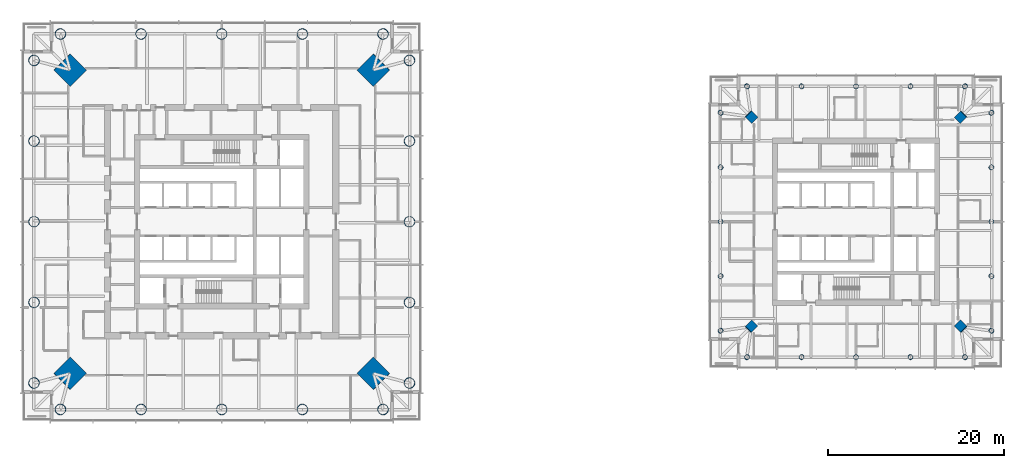
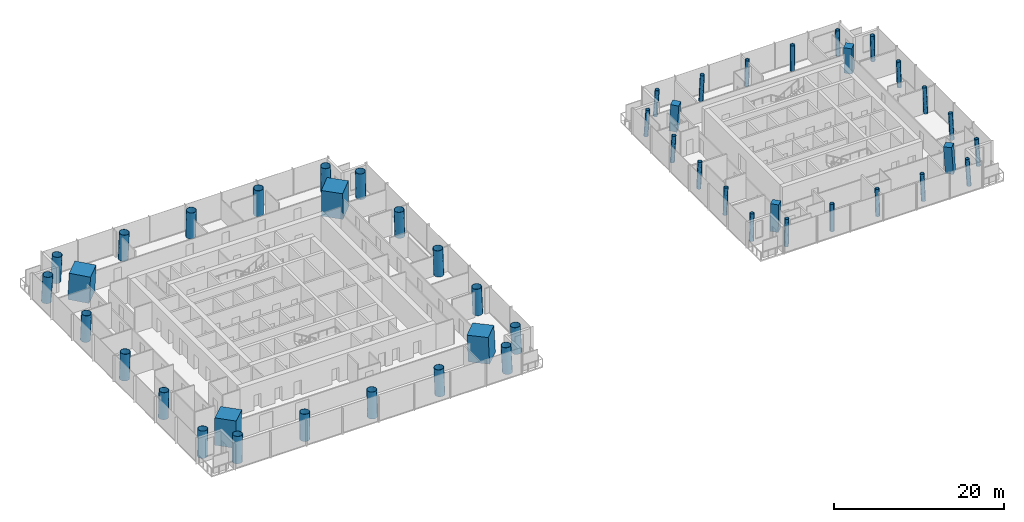
# One storey, part 1 of 18: 48 columns.
"""IFC4 building model written with IfcOpenShell, lengths in metres."""

from ifc_helpers import new_model, si_unit, direction, frame, origin, origin_2d, place, context, subcontext, project, spatial, rectangle, hollow_circle, extrude, material, material_profile, profile_set, type_object, element, save


model = new_model("IFC4")

# Units and contexts
model_context = context("Model", 3, precision=1e-05, world=origin(), true_north=direction((0.0, 1.0)))
body_context = subcontext(model_context, "Body", "Model", "MODEL_VIEW")
ifc_project = project(units=[si_unit("LENGTHUNIT", "METRE"), si_unit("AREAUNIT", "SQUARE_METRE"), si_unit("VOLUMEUNIT", "CUBIC_METRE"), si_unit("PLANEANGLEUNIT", "RADIAN"), si_unit("MASSUNIT", "GRAM", prefix="KILO")], contexts=[model_context])

# Site, building, storey
site_placement = place(None, origin())
site = spatial("IfcSite", under=ifc_project, at=site_placement, CompositionType="ELEMENT")
building_placement = place(site_placement, origin())
building = spatial("IfcBuilding", under=site, at=building_placement, Name="Ostroluk Exchange", CompositionType="ELEMENT")
storey_placement = place(building_placement, frame((0.0, 0.0, 104.60009765625)))
storey = spatial("IfcBuildingStorey", under=building, at=storey_placement, Name="L26", CompositionType="ELEMENT", Elevation=104.60009765625)

# Columns
ifc_material_1 = material(Name="Concrete C50/60", Category="concrete")
ifc_material_profile_1 = material_profile(ifc_material_1, rectangle(XDim=1.0, YDim=1.0, at=origin_2d()), Name="RC 1000x1000")
ifc_profile_set_1 = profile_set([ifc_material_profile_1], Name="Concrete C50/60")
column_type_1 = type_object("IfcColumnType", Name="Mega column RC 1000x1000", PredefinedType="COLUMN", material=ifc_profile_set_1)
for number, where, z_axis, x_axis, name in (
    (1, (128.896484375, 57.896484375, 0.0), (-0.043032401563, -0.043032401563, 0.998146494675), (0.707106781187, -0.707106781187, 0.0), "T2 mega column NE"),
    (2, (105.103515625, 57.896484375, 0.0), (0.043032401563, -0.043032401563, 0.998146494675), (0.707106781187, 0.707106781187, 0.0), "T2 mega column NW"),
    (3, (105.103515625, 34.103515625, 0.0), (0.043032401563, 0.043032401563, 0.998146494675), (-0.707106781187, 0.707106781187, 0.0), "T2 mega column SW"),
    (4, (128.896484375, 34.103515625, 0.0), (-0.043032401563, 0.043032401563, 0.998146494675), (-0.707106781187, -0.707106781187, 0.0), "T2 mega column SE"),
):
    element("IfcColumn", number, at=place(storey_placement, frame(where, z_axis=z_axis, x_axis=x_axis)), inside=storey, type_object=column_type_1, Name=name, PredefinedType="COLUMN", context=body_context, shape_type="SweptSolid", body=[
        extrude(rectangle(XDim=1.0, YDim=1.0, at=origin_2d()), origin(), (0.0, 0.0, 1.0), 3.806884765625),
    ])
ifc_material_2 = material(Name="Concrete C50/60", Category="concrete")
ifc_material_profile_2 = material_profile(ifc_material_2, rectangle(XDim=2.60009765625, YDim=2.60009765625, at=origin_2d()), Name="RC 2600x2600")
ifc_profile_set_2 = profile_set([ifc_material_profile_2], Name="Concrete C50/60")
column_type_2 = type_object("IfcColumnType", Name="Mega column RC 2600x2600", PredefinedType="COLUMN", material=ifc_profile_set_2)
for number, where, z_axis, x_axis, name in (
    (5, (62.228515625, 63.228515625, 0.0), (-0.031900153262, -0.031900153262, 0.998981861919), (0.707106781187, -0.707106781187, 0.0), "T1 mega column NE"),
    (6, (27.771484375, 63.228515625, 0.0), (0.031900153262, -0.031900153262, 0.998981861919), (0.707106781187, 0.707106781187, 0.0), "T1 mega column NW"),
    (7, (27.771484375, 28.771484375, 0.0), (0.031900153262, 0.031900153262, 0.998981861919), (-0.707106781187, 0.707106781187, 0.0), "T1 mega column SW"),
    (8, (62.228515625, 28.771484375, 0.0), (-0.031900153262, 0.031900153262, 0.998981861919), (-0.707106781187, -0.707106781187, 0.0), "T1 mega column SE"),
):
    element("IfcColumn", number, at=place(storey_placement, frame(where, z_axis=z_axis, x_axis=x_axis)), inside=storey, type_object=column_type_2, Name=name, PredefinedType="COLUMN", context=body_context, shape_type="SweptSolid", body=[
        extrude(rectangle(XDim=2.60009765625, YDim=2.60009765625, at=origin_2d()), origin(), (0.0, 0.0, 1.0), 3.8037109375),
    ])
ifc_material_3 = material(Name="Steel S460", Category="steel")
ifc_material_profile_3 = material_profile(ifc_material_3, hollow_circle(Radius=0.609619140625, WallThickness=0.0400390625, at=origin_2d()), Name="CHS 1219x40")
ifc_profile_set_3 = profile_set([ifc_material_profile_3], Name="Steel S460")
column_type_3 = type_object("IfcColumnType", Name="Perimeter column CHS 1219x40", PredefinedType="COLUMN", material=ifc_profile_set_3)
for number, where, z_axis, x_axis, name in (
    (9, (66.32861328125, 27.67138671875, 0.0), (-0.031964207655, 0.031964207655, 0.998977766949), (-0.707106781187, -0.707106781187, 0.0), "T1 east face column E0"),
    (10, (66.32861328125, 64.32861328125, 0.0), (-0.031964207655, -0.031964207655, 0.998977766949), (0.707106781187, -0.707106781187, 0.0), "T1 east face column E1"),
):
    element("IfcColumn", number, at=place(storey_placement, frame(where, z_axis=z_axis, x_axis=x_axis)), inside=storey, type_object=column_type_3, Name=name, PredefinedType="COLUMN", context=body_context, shape_type="SweptSolid", body=[
        extrude(hollow_circle(Radius=0.609619140625, WallThickness=0.0400390625, at=origin_2d()), origin(), (0.0, 0.0, 1.0), 3.8037109375),
    ])
column_1_placement = place(storey_placement, frame((66.32861328125, 36.835693359375, 0.0), z_axis=(-0.031976461511, 0.015988230756, 0.999360736865), x_axis=(-0.4472135955, -0.894427191, 0.0)))
element("IfcColumn", 11, at=column_1_placement, inside=storey, type_object=column_type_3, Name="T1 east face column I1", PredefinedType="COLUMN", context=body_context, shape_type="SweptSolid", body=[
    extrude(hollow_circle(Radius=0.609619140625, WallThickness=0.0400390625, at=origin_2d()), origin(), (0.0, 0.0, 1.0), 3.80224609375),
])
column_2_placement = place(storey_placement, frame((66.32861328125, 46.0, 0.0), z_axis=(-0.031980549263, 0.0, 0.999488491414), x_axis=(0.0, -1.0, 0.0)))
element("IfcColumn", 12, at=column_2_placement, inside=storey, type_object=column_type_3, Name="T1 east face column I2", PredefinedType="COLUMN", context=body_context, shape_type="SweptSolid", body=[
    extrude(hollow_circle(Radius=0.609619140625, WallThickness=0.0400390625, at=origin_2d()), origin(), (0.0, 0.0, 1.0), 3.8017578125),
])
column_3_placement = place(storey_placement, frame((66.32861328125, 55.164306640625, 0.0), z_axis=(-0.031976461511, -0.015988230756, 0.999360736865), x_axis=(0.4472135955, -0.894427191, 0.0)))
element("IfcColumn", 13, at=column_3_placement, inside=storey, type_object=column_type_3, Name="T1 east face column I3", PredefinedType="COLUMN", context=body_context, shape_type="SweptSolid", body=[
    extrude(hollow_circle(Radius=0.609619140625, WallThickness=0.0400390625, at=origin_2d()), origin(), (0.0, 0.0, 1.0), 3.80224609375),
])
for number, where, z_axis, x_axis, name in (
    (14, (63.32861328125, 67.32861328125, 0.0), (-0.031964207655, -0.031964207655, 0.998977766949), (0.707106781187, -0.707106781187, 0.0), "T1 north face column E0"),
    (15, (26.67138671875, 67.32861328125, 0.0), (0.031964207655, -0.031964207655, 0.998977766949), (0.707106781187, 0.707106781187, 0.0), "T1 north face column E1"),
):
    element("IfcColumn", number, at=place(storey_placement, frame(where, z_axis=z_axis, x_axis=x_axis)), inside=storey, type_object=column_type_3, Name=name, PredefinedType="COLUMN", context=body_context, shape_type="SweptSolid", body=[
        extrude(hollow_circle(Radius=0.609619140625, WallThickness=0.0400390625, at=origin_2d()), origin(), (0.0, 0.0, 1.0), 3.8037109375),
    ])
column_4_placement = place(storey_placement, frame((54.164306640625, 67.32861328125, 0.0), z_axis=(-0.015988230756, -0.031976461511, 0.999360736865), x_axis=(0.894427191, -0.4472135955, 0.0)))
element("IfcColumn", 16, at=column_4_placement, inside=storey, type_object=column_type_3, Name="T1 north face column I1", PredefinedType="COLUMN", context=body_context, shape_type="SweptSolid", body=[
    extrude(hollow_circle(Radius=0.609619140625, WallThickness=0.0400390625, at=origin_2d()), origin(), (0.0, 0.0, 1.0), 3.80224609375),
])
column_5_placement = place(storey_placement, frame((45.0, 67.32861328125, 0.0), z_axis=(0.0, -0.031980549263, 0.999488491414), x_axis=(1.0, 0.0, 0.0)))
element("IfcColumn", 17, at=column_5_placement, inside=storey, type_object=column_type_3, Name="T1 north face column I2", PredefinedType="COLUMN", context=body_context, shape_type="SweptSolid", body=[
    extrude(hollow_circle(Radius=0.609619140625, WallThickness=0.0400390625, at=origin_2d()), origin(), (0.0, 0.0, 1.0), 3.8017578125),
])
column_6_placement = place(storey_placement, frame((35.835693359375, 67.32861328125, 0.0), z_axis=(0.015988230756, -0.031976461511, 0.999360736865), x_axis=(0.894427191, 0.4472135955, 0.0)))
element("IfcColumn", 18, at=column_6_placement, inside=storey, type_object=column_type_3, Name="T1 north face column I3", PredefinedType="COLUMN", context=body_context, shape_type="SweptSolid", body=[
    extrude(hollow_circle(Radius=0.609619140625, WallThickness=0.0400390625, at=origin_2d()), origin(), (0.0, 0.0, 1.0), 3.80224609375),
])
for number, where, z_axis, x_axis, name in (
    (19, (23.67138671875, 64.32861328125, 0.0), (0.031964207655, -0.031964207655, 0.998977766949), (0.707106781187, 0.707106781187, 0.0), "T1 west face column E0"),
    (20, (23.67138671875, 27.67138671875, 0.0), (0.031964207655, 0.031964207655, 0.998977766949), (-0.707106781187, 0.707106781187, 0.0), "T1 west face column E1"),
):
    element("IfcColumn", number, at=place(storey_placement, frame(where, z_axis=z_axis, x_axis=x_axis)), inside=storey, type_object=column_type_3, Name=name, PredefinedType="COLUMN", context=body_context, shape_type="SweptSolid", body=[
        extrude(hollow_circle(Radius=0.609619140625, WallThickness=0.0400390625, at=origin_2d()), origin(), (0.0, 0.0, 1.0), 3.8037109375),
    ])
column_7_placement = place(storey_placement, frame((23.67138671875, 55.164306640625, 0.0), z_axis=(0.031976461511, -0.015988230756, 0.999360736865), x_axis=(0.4472135955, 0.894427191, 0.0)))
element("IfcColumn", 21, at=column_7_placement, inside=storey, type_object=column_type_3, Name="T1 west face column I1", PredefinedType="COLUMN", context=body_context, shape_type="SweptSolid", body=[
    extrude(hollow_circle(Radius=0.609619140625, WallThickness=0.0400390625, at=origin_2d()), origin(), (0.0, 0.0, 1.0), 3.80224609375),
])
column_8_placement = place(storey_placement, frame((23.67138671875, 46.0, 0.0), z_axis=(0.031980549263, 0.0, 0.999488491414), x_axis=(0.0, 1.0, 0.0)))
element("IfcColumn", 22, at=column_8_placement, inside=storey, type_object=column_type_3, Name="T1 west face column I2", PredefinedType="COLUMN", context=body_context, shape_type="SweptSolid", body=[
    extrude(hollow_circle(Radius=0.609619140625, WallThickness=0.0400390625, at=origin_2d()), origin(), (0.0, 0.0, 1.0), 3.8017578125),
])
column_9_placement = place(storey_placement, frame((23.67138671875, 36.835693359375, 0.0), z_axis=(0.031976461511, 0.015988230756, 0.999360736865), x_axis=(-0.4472135955, 0.894427191, 0.0)))
element("IfcColumn", 23, at=column_9_placement, inside=storey, type_object=column_type_3, Name="T1 west face column I3", PredefinedType="COLUMN", context=body_context, shape_type="SweptSolid", body=[
    extrude(hollow_circle(Radius=0.609619140625, WallThickness=0.0400390625, at=origin_2d()), origin(), (0.0, 0.0, 1.0), 3.80224609375),
])
for number, where, z_axis, x_axis, name in (
    (24, (26.67138671875, 24.67138671875, 0.0), (0.031964207655, 0.031964207655, 0.998977766949), (-0.707106781187, 0.707106781187, 0.0), "T1 south face column E0"),
    (25, (63.32861328125, 24.67138671875, 0.0), (-0.031964207655, 0.031964207655, 0.998977766949), (-0.707106781187, -0.707106781187, 0.0), "T1 south face column E1"),
):
    element("IfcColumn", number, at=place(storey_placement, frame(where, z_axis=z_axis, x_axis=x_axis)), inside=storey, type_object=column_type_3, Name=name, PredefinedType="COLUMN", context=body_context, shape_type="SweptSolid", body=[
        extrude(hollow_circle(Radius=0.609619140625, WallThickness=0.0400390625, at=origin_2d()), origin(), (0.0, 0.0, 1.0), 3.8037109375),
    ])
column_10_placement = place(storey_placement, frame((35.835693359375, 24.67138671875, 0.0), z_axis=(0.015988230756, 0.031976461511, 0.999360736865), x_axis=(-0.894427191, 0.4472135955, 0.0)))
element("IfcColumn", 26, at=column_10_placement, inside=storey, type_object=column_type_3, Name="T1 south face column I1", PredefinedType="COLUMN", context=body_context, shape_type="SweptSolid", body=[
    extrude(hollow_circle(Radius=0.609619140625, WallThickness=0.0400390625, at=origin_2d()), origin(), (0.0, 0.0, 1.0), 3.80224609375),
])
column_11_placement = place(storey_placement, frame((45.0, 24.67138671875, 0.0), z_axis=(0.0, 0.031980549263, 0.999488491414), x_axis=(-1.0, 0.0, 0.0)))
element("IfcColumn", 27, at=column_11_placement, inside=storey, type_object=column_type_3, Name="T1 south face column I2", PredefinedType="COLUMN", context=body_context, shape_type="SweptSolid", body=[
    extrude(hollow_circle(Radius=0.609619140625, WallThickness=0.0400390625, at=origin_2d()), origin(), (0.0, 0.0, 1.0), 3.8017578125),
])
column_12_placement = place(storey_placement, frame((54.164306640625, 24.67138671875, 0.0), z_axis=(-0.015988230756, 0.031976461511, 0.999360736865), x_axis=(-0.894427191, -0.4472135955, 0.0)))
element("IfcColumn", 28, at=column_12_placement, inside=storey, type_object=column_type_3, Name="T1 south face column I3", PredefinedType="COLUMN", context=body_context, shape_type="SweptSolid", body=[
    extrude(hollow_circle(Radius=0.609619140625, WallThickness=0.0400390625, at=origin_2d()), origin(), (0.0, 0.0, 1.0), 3.80224609375),
])
ifc_material_4 = material(Name="Steel S460", Category="steel")
ifc_material_profile_4 = material_profile(ifc_material_4, hollow_circle(Radius=0.279541015625, WallThickness=0.02001953125, at=origin_2d()), Name="CHS 559x20")
ifc_profile_set_4 = profile_set([ifc_material_profile_4], Name="Steel S460")
column_type_4 = type_object("IfcColumnType", Name="Perimeter column CHS 559x20", PredefinedType="COLUMN", material=ifc_profile_set_4)
for number, where, z_axis, x_axis, name in (
    (29, (132.396484375, 33.603515625, 0.0), (-0.043032401563, 0.043032401563, 0.998146494675), (-0.707106781187, -0.707106781187, 0.0), "T2 east face column E0"),
    (30, (132.396484375, 58.396484375, 0.0), (-0.043032401563, -0.043032401563, 0.998146494675), (0.707106781187, -0.707106781187, 0.0), "T2 east face column E1"),
):
    element("IfcColumn", number, at=place(storey_placement, frame(where, z_axis=z_axis, x_axis=x_axis)), inside=storey, type_object=column_type_4, Name=name, PredefinedType="COLUMN", context=body_context, shape_type="SweptSolid", body=[
        extrude(hollow_circle(Radius=0.279541015625, WallThickness=0.02001953125, at=origin_2d()), origin(), (0.0, 0.0, 1.0), 3.806884765625),
    ])
column_13_placement = place(storey_placement, frame((132.396484375, 39.8017578125, 0.0), z_axis=(-0.04306234503, 0.02149908433, 0.998841040313), x_axis=(-0.446680166538, -0.894693706707, 0.0)))
element("IfcColumn", 31, at=column_13_placement, inside=storey, type_object=column_type_4, Name="T2 east face column I1", PredefinedType="COLUMN", context=body_context, shape_type="SweptSolid", body=[
    extrude(hollow_circle(Radius=0.279541015625, WallThickness=0.02001953125, at=origin_2d()), origin(), (0.0, 0.0, 1.0), 3.80419921875),
])
column_14_placement = place(storey_placement, frame((132.396484375, 46.0, 0.0), z_axis=(-0.043072300418, 0.0, 0.999071957837), x_axis=(0.0, -1.0, 0.0)))
element("IfcColumn", 32, at=column_14_placement, inside=storey, type_object=column_type_4, Name="T2 east face column I2", PredefinedType="COLUMN", context=body_context, shape_type="SweptSolid", body=[
    extrude(hollow_circle(Radius=0.279541015625, WallThickness=0.02001953125, at=origin_2d()), origin(), (0.0, 0.0, 1.0), 3.80322265625),
])
column_15_placement = place(storey_placement, frame((132.396484375, 52.1982421875, 0.0), z_axis=(-0.04306234503, -0.02149908433, 0.998841040313), x_axis=(0.446680166538, -0.894693706707, 0.0)))
element("IfcColumn", 33, at=column_15_placement, inside=storey, type_object=column_type_4, Name="T2 east face column I3", PredefinedType="COLUMN", context=body_context, shape_type="SweptSolid", body=[
    extrude(hollow_circle(Radius=0.279541015625, WallThickness=0.02001953125, at=origin_2d()), origin(), (0.0, 0.0, 1.0), 3.80419921875),
])
for number, where, z_axis, x_axis, name in (
    (34, (129.396484375, 61.396484375, 0.0), (-0.043032401563, -0.043032401563, 0.998146494675), (0.707106781187, -0.707106781187, 0.0), "T2 north face column E0"),
    (35, (104.603515625, 61.396484375, 0.0), (0.043032401563, -0.043032401563, 0.998146494675), (0.707106781187, 0.707106781187, 0.0), "T2 north face column E1"),
):
    element("IfcColumn", number, at=place(storey_placement, frame(where, z_axis=z_axis, x_axis=x_axis)), inside=storey, type_object=column_type_4, Name=name, PredefinedType="COLUMN", context=body_context, shape_type="SweptSolid", body=[
        extrude(hollow_circle(Radius=0.279541015625, WallThickness=0.02001953125, at=origin_2d()), origin(), (0.0, 0.0, 1.0), 3.806884765625),
    ])
column_16_placement = place(storey_placement, frame((123.1982421875, 61.396484375, 0.0), z_axis=(-0.02149908433, -0.04306234503, 0.998841040313), x_axis=(0.894693706707, -0.446680166538, 0.0)))
element("IfcColumn", 36, at=column_16_placement, inside=storey, type_object=column_type_4, Name="T2 north face column I1", PredefinedType="COLUMN", context=body_context, shape_type="SweptSolid", body=[
    extrude(hollow_circle(Radius=0.279541015625, WallThickness=0.02001953125, at=origin_2d()), origin(), (0.0, 0.0, 1.0), 3.80419921875),
])
column_17_placement = place(storey_placement, frame((117.0, 61.396484375, 0.0), z_axis=(0.0, -0.043072300418, 0.999071957837), x_axis=(1.0, 0.0, 0.0)))
element("IfcColumn", 37, at=column_17_placement, inside=storey, type_object=column_type_4, Name="T2 north face column I2", PredefinedType="COLUMN", context=body_context, shape_type="SweptSolid", body=[
    extrude(hollow_circle(Radius=0.279541015625, WallThickness=0.02001953125, at=origin_2d()), origin(), (0.0, 0.0, 1.0), 3.80322265625),
])
column_18_placement = place(storey_placement, frame((110.8017578125, 61.396484375, 0.0), z_axis=(0.02149908433, -0.04306234503, 0.998841040313), x_axis=(0.894693706707, 0.446680166538, 0.0)))
element("IfcColumn", 38, at=column_18_placement, inside=storey, type_object=column_type_4, Name="T2 north face column I3", PredefinedType="COLUMN", context=body_context, shape_type="SweptSolid", body=[
    extrude(hollow_circle(Radius=0.279541015625, WallThickness=0.02001953125, at=origin_2d()), origin(), (0.0, 0.0, 1.0), 3.80419921875),
])
for number, where, z_axis, x_axis, name in (
    (39, (101.603515625, 58.396484375, 0.0), (0.043032401563, -0.043032401563, 0.998146494675), (0.707106781187, 0.707106781187, 0.0), "T2 west face column E0"),
    (40, (101.603515625, 33.603515625, 0.0), (0.043032401563, 0.043032401563, 0.998146494675), (-0.707106781187, 0.707106781187, 0.0), "T2 west face column E1"),
):
    element("IfcColumn", number, at=place(storey_placement, frame(where, z_axis=z_axis, x_axis=x_axis)), inside=storey, type_object=column_type_4, Name=name, PredefinedType="COLUMN", context=body_context, shape_type="SweptSolid", body=[
        extrude(hollow_circle(Radius=0.279541015625, WallThickness=0.02001953125, at=origin_2d()), origin(), (0.0, 0.0, 1.0), 3.806884765625),
    ])
column_19_placement = place(storey_placement, frame((101.603515625, 52.1982421875, 0.0), z_axis=(0.04306234503, -0.02149908433, 0.998841040313), x_axis=(0.446680166538, 0.894693706707, 0.0)))
element("IfcColumn", 41, at=column_19_placement, inside=storey, type_object=column_type_4, Name="T2 west face column I1", PredefinedType="COLUMN", context=body_context, shape_type="SweptSolid", body=[
    extrude(hollow_circle(Radius=0.279541015625, WallThickness=0.02001953125, at=origin_2d()), origin(), (0.0, 0.0, 1.0), 3.80419921875),
])
column_20_placement = place(storey_placement, frame((101.603515625, 46.0, 0.0), z_axis=(0.043072300418, 0.0, 0.999071957837), x_axis=(0.0, 1.0, 0.0)))
element("IfcColumn", 42, at=column_20_placement, inside=storey, type_object=column_type_4, Name="T2 west face column I2", PredefinedType="COLUMN", context=body_context, shape_type="SweptSolid", body=[
    extrude(hollow_circle(Radius=0.279541015625, WallThickness=0.02001953125, at=origin_2d()), origin(), (0.0, 0.0, 1.0), 3.80322265625),
])
column_21_placement = place(storey_placement, frame((101.603515625, 39.8017578125, 0.0), z_axis=(0.04306234503, 0.02149908433, 0.998841040313), x_axis=(-0.446680166538, 0.894693706707, 0.0)))
element("IfcColumn", 43, at=column_21_placement, inside=storey, type_object=column_type_4, Name="T2 west face column I3", PredefinedType="COLUMN", context=body_context, shape_type="SweptSolid", body=[
    extrude(hollow_circle(Radius=0.279541015625, WallThickness=0.02001953125, at=origin_2d()), origin(), (0.0, 0.0, 1.0), 3.80419921875),
])
for number, where, z_axis, x_axis, name in (
    (44, (104.603515625, 30.603515625, 0.0), (0.043032401563, 0.043032401563, 0.998146494675), (-0.707106781187, 0.707106781187, 0.0), "T2 south face column E0"),
    (45, (129.396484375, 30.603515625, 0.0), (-0.043032401563, 0.043032401563, 0.998146494675), (-0.707106781187, -0.707106781187, 0.0), "T2 south face column E1"),
):
    element("IfcColumn", number, at=place(storey_placement, frame(where, z_axis=z_axis, x_axis=x_axis)), inside=storey, type_object=column_type_4, Name=name, PredefinedType="COLUMN", context=body_context, shape_type="SweptSolid", body=[
        extrude(hollow_circle(Radius=0.279541015625, WallThickness=0.02001953125, at=origin_2d()), origin(), (0.0, 0.0, 1.0), 3.806884765625),
    ])
column_22_placement = place(storey_placement, frame((110.8017578125, 30.603515625, 0.0), z_axis=(0.02149908433, 0.04306234503, 0.998841040313), x_axis=(-0.894693706707, 0.446680166538, 0.0)))
element("IfcColumn", 46, at=column_22_placement, inside=storey, type_object=column_type_4, Name="T2 south face column I1", PredefinedType="COLUMN", context=body_context, shape_type="SweptSolid", body=[
    extrude(hollow_circle(Radius=0.279541015625, WallThickness=0.02001953125, at=origin_2d()), origin(), (0.0, 0.0, 1.0), 3.80419921875),
])
column_23_placement = place(storey_placement, frame((117.0, 30.603515625, 0.0), z_axis=(0.0, 0.043072300418, 0.999071957837), x_axis=(-1.0, 0.0, 0.0)))
element("IfcColumn", 47, at=column_23_placement, inside=storey, type_object=column_type_4, Name="T2 south face column I2", PredefinedType="COLUMN", context=body_context, shape_type="SweptSolid", body=[
    extrude(hollow_circle(Radius=0.279541015625, WallThickness=0.02001953125, at=origin_2d()), origin(), (0.0, 0.0, 1.0), 3.80322265625),
])
column_24_placement = place(storey_placement, frame((123.1982421875, 30.603515625, 0.0), z_axis=(-0.02149908433, 0.04306234503, 0.998841040313), x_axis=(-0.894693706707, -0.446680166538, 0.0)))
element("IfcColumn", 48, at=column_24_placement, inside=storey, type_object=column_type_4, Name="T2 south face column I3", PredefinedType="COLUMN", context=body_context, shape_type="SweptSolid", body=[
    extrude(hollow_circle(Radius=0.279541015625, WallThickness=0.02001953125, at=origin_2d()), origin(), (0.0, 0.0, 1.0), 3.80419921875),
])

save(model, "model.ifc")
